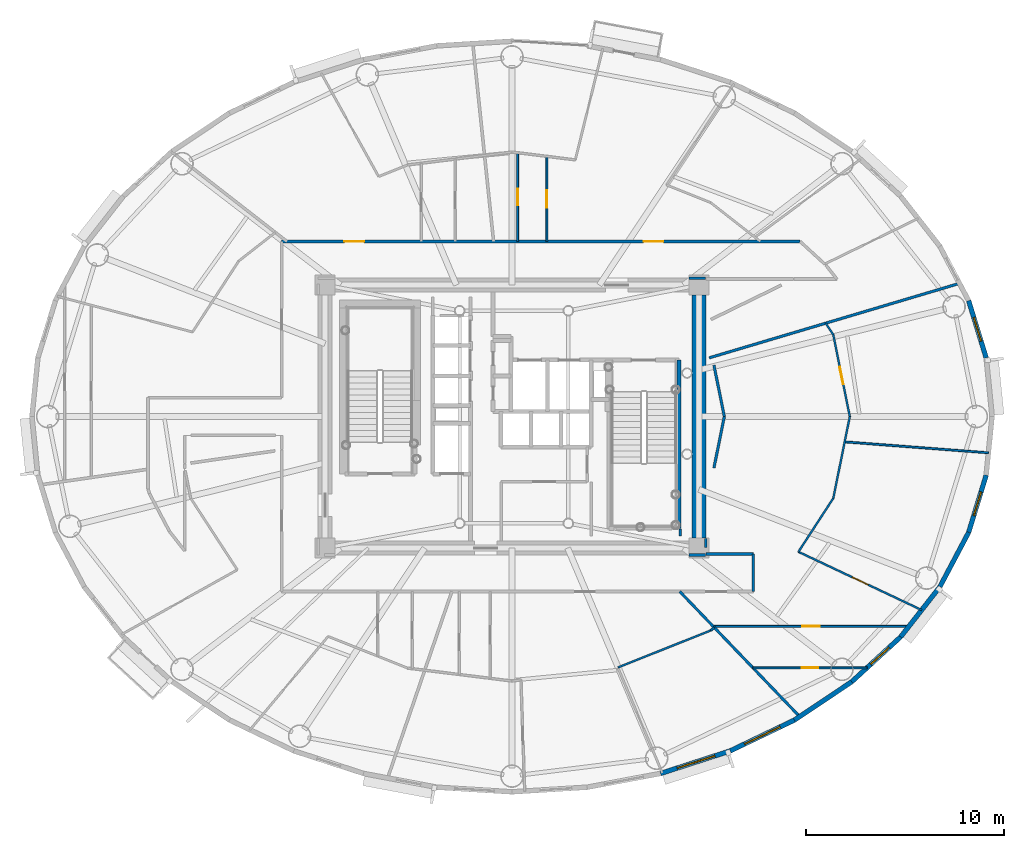
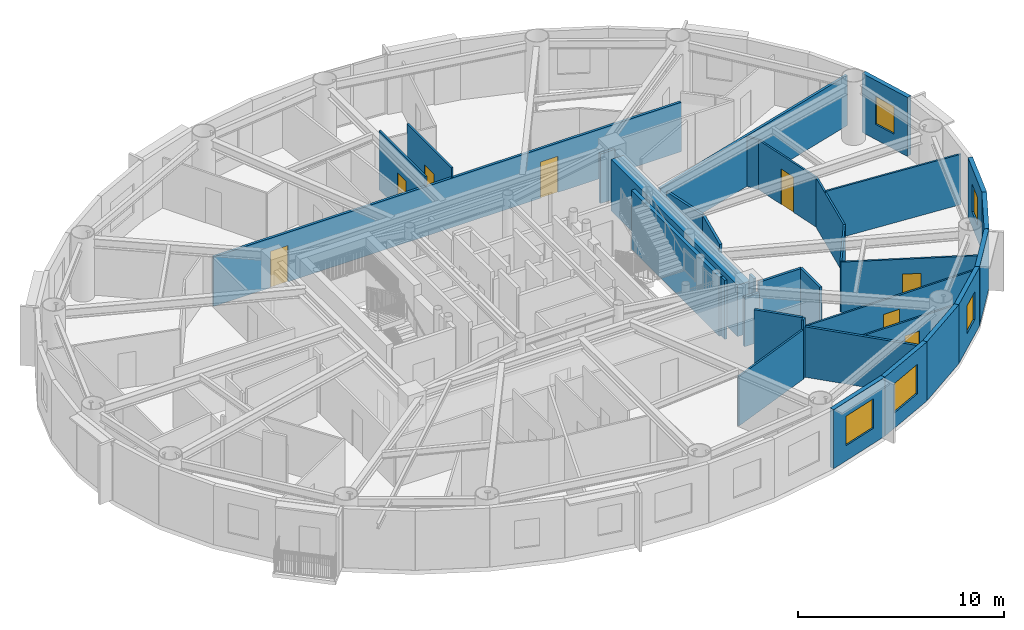
# One storey, part 9 of 18: 34 walls, 8 doors, 5 windows, 13 openings.
"""IFC4 building model written with IfcOpenShell, lengths in metres."""

from ifc_helpers import new_model, si_unit, direction, frame, frame_2d, origin, origin_2d, place, context, subcontext, project, spatial, rectangle, extrude, source, transform, mapped, material, layer, layer_set, type_object, element, fill, save


model = new_model("IFC4")

# Units and contexts
model_context = context("Model", 3, precision=1e-05, world=origin(), true_north=direction((0.0, 1.0)))
body_context = subcontext(model_context, "Body", "Model", "MODEL_VIEW")
ifc_project = project(units=[si_unit("LENGTHUNIT", "METRE"), si_unit("AREAUNIT", "SQUARE_METRE"), si_unit("VOLUMEUNIT", "CUBIC_METRE"), si_unit("PLANEANGLEUNIT", "RADIAN"), si_unit("MASSUNIT", "GRAM", prefix="KILO")], contexts=[model_context])

# Site, building, storey
site_placement = place(None, origin())
site = spatial("IfcSite", under=ifc_project, at=site_placement, CompositionType="ELEMENT")
building_placement = place(site_placement, origin())
building = spatial("IfcBuilding", under=site, at=building_placement, Name="Linh Dai School and Residence Tower", CompositionType="ELEMENT")
storey_placement = place(building_placement, frame((0.0, 0.0, 240.300048828125)))
storey = spatial("IfcBuildingStorey", under=building, at=storey_placement, Name="L59", CompositionType="ELEMENT", Elevation=240.300048828125)

# Wall, opening, window
ifc_material_1 = material(Name="Precast Concrete B45 (C35/45)", Category="concrete")
ifc_layer_1 = layer(ifc_material_1, 0.239990234375)
ifc_layer_set_1 = layer_set([ifc_layer_1], Name="Precast Concrete B45 (C35/45)")
wall_type_1 = type_object("IfcWallType", Name="EW-TC-240", PredefinedType="SOLIDWALL", material=ifc_layer_set_1)
wall_1_placement = place(storey_placement, frame((59.09033203125, 32.85595703125, 0.0), z_axis=(0.0, 0.0, 1.0), x_axis=(0.293132907334, -0.95607170162, 0.0)))
wall_1 = element("IfcWall", 1, at=wall_1_placement, inside=storey, type_object=wall_type_1, Name="L59 Terracotta Exterior Wall 02", PredefinedType="SOLIDWALL", context=body_context, shape_type="SweptSolid", body=[
    extrude(rectangle(XDim=3.02490234375, YDim=0.239990234375, at=frame_2d((1.512451171875, 0.0))), origin(), (0.0, 0.0, 1.0), 3.5),
])
opening_1_placement = place(wall_1_placement, frame((0.887451171875, 0.0, 0.89990234375)))
opening_1 = element("IfcOpeningElement", 2, at=opening_1_placement, cuts=wall_1, Name="Opening W3", PredefinedType="OPENING", context=body_context, shape_type="SweptSolid", body=[
    extrude(rectangle(XDim=1.25, YDim=1.64990234375, at=origin_2d()), frame((0.625, 0.1298828125, 0.824951171875), z_axis=(0.0, -1.0, 0.0), x_axis=(1.0, 0.0, 0.0)), (0.0, 0.0, 1.0), 0.260009765625),
])
ifc_material_2 = material(Name="Double Low-E Insulated Glazing", Category="glass")
window_type_1 = type_object("IfcWindowType", Name="WN-RES-1250x1650", PartitioningType="SINGLE_PANEL", PredefinedType="WINDOW", material=ifc_material_2)
shared_shape_1 = source(origin(), body_context, "Body", "SweptSolid", [
    extrude(rectangle(XDim=1.25, YDim=1.64990234375, at=origin_2d()), frame((0.625, 0.030029296875, 0.824951171875), z_axis=(0.0, -1.0, 0.0), x_axis=(1.0, 0.0, 0.0)), (0.0, 0.0, 1.0), 0.06005859375),
])
window_1_placement = place(opening_1_placement, origin())
window_1 = element("IfcWindow", 3, at=window_1_placement, inside=storey, type_object=window_type_1, Name="L59 Dwelling Window U5905-BD2", OverallHeight=1.64990234375, OverallWidth=1.25, PartitioningType="SINGLE_PANEL", PredefinedType="WINDOW", context=body_context, shape_type="MappedRepresentation", body=[
    mapped(shared_shape_1, transform((0.0, 0.0, 0.0), x_axis=(1.0, 0.0, 0.0), y_axis=(0.0, 1.0, 0.0), z_axis=(0.0, 0.0, 1.0), scale=1.0)),
])
fill(opening_1, window_1)

wall_2_placement = place(storey_placement, frame((47.031005859375, 10.093505859375, 0.0), z_axis=(0.0, 0.0, 1.0), x_axis=(-0.951210789182, -0.308541787354, 0.0)))
wall_2 = element("IfcWall", 4, at=wall_2_placement, inside=storey, type_object=wall_type_1, Name="L59 Terracotta Exterior Wall 33", PredefinedType="SOLIDWALL", context=body_context, shape_type="SweptSolid", body=[
    extrude(rectangle(XDim=3.702392578125, YDim=0.239990234375, at=frame_2d((1.85107421875, 0.0))), origin(), (0.0, 0.0, 1.0), 3.5),
])
opening_2_placement = place(wall_2_placement, frame((0.81298828125, 0.0, 0.89990234375)))
opening_2 = element("IfcOpeningElement", 5, at=opening_2_placement, cuts=wall_2, Name="Opening W1", PredefinedType="OPENING", context=body_context, shape_type="SweptSolid", body=[
    extrude(rectangle(XDim=2.0, YDim=1.75, at=origin_2d()), frame((1.0, 0.1298828125, 0.875), z_axis=(0.0, -1.0, 0.0), x_axis=(1.0, 0.0, 0.0)), (0.0, 0.0, 1.0), 0.260009765625),
])
window_type_2 = type_object("IfcWindowType", Name="WN-RES-2000x1750", PartitioningType="DOUBLE_PANEL_VERTICAL", PredefinedType="WINDOW", material=ifc_material_2)
shared_shape_2 = source(origin(), body_context, "Body", "SweptSolid", [
    extrude(rectangle(XDim=2.0, YDim=1.75, at=origin_2d()), frame((1.0, 0.030029296875, 0.875), z_axis=(0.0, -1.0, 0.0), x_axis=(1.0, 0.0, 0.0)), (0.0, 0.0, 1.0), 0.06005859375),
])
window_2_placement = place(opening_2_placement, origin())
window_2 = element("IfcWindow", 6, at=window_2_placement, inside=storey, type_object=window_type_2, Name="L59 Exterior Window 33.1", OverallHeight=1.75, OverallWidth=2.0, PartitioningType="DOUBLE_PANEL_VERTICAL", PredefinedType="WINDOW", context=body_context, shape_type="MappedRepresentation", body=[
    mapped(shared_shape_2, transform((0.0, 0.0, 0.0), x_axis=(1.0, 0.0, 0.0), y_axis=(0.0, 1.0, 0.0), z_axis=(0.0, 0.0, 1.0), scale=1.0)),
])
fill(opening_2, window_2)

wall_3_placement = place(storey_placement, frame((50.280029296875, 11.65234375, 0.0), z_axis=(0.0, 0.0, 1.0), x_axis=(-0.901598104751, -0.432574684313, 0.0)))
wall_3 = element("IfcWall", 7, at=wall_3_placement, inside=storey, type_object=wall_type_1, Name="L59 Terracotta Exterior Wall 34", PredefinedType="SOLIDWALL", context=body_context, shape_type="SweptSolid", body=[
    extrude(rectangle(XDim=3.603515625, YDim=0.239990234375, at=frame_2d((1.8017578125, 0.0))), origin(), (0.0, 0.0, 1.0), 3.5),
])
opening_3_placement = place(wall_3_placement, frame((0.802001953125, 0.0, 0.89990234375)))
opening_3 = element("IfcOpeningElement", 8, at=opening_3_placement, cuts=wall_3, Name="Opening W1", PredefinedType="OPENING", context=body_context, shape_type="SweptSolid", body=[
    extrude(rectangle(XDim=2.0, YDim=1.75, at=origin_2d()), frame((1.0, 0.1298828125, 0.875), z_axis=(0.0, -1.0, 0.0), x_axis=(1.0, 0.0, 0.0)), (0.0, 0.0, 1.0), 0.260009765625),
])
window_3_placement = place(opening_3_placement, origin())
window_3 = element("IfcWindow", 9, at=window_3_placement, inside=storey, type_object=window_type_2, Name="L59 Exterior Window 34.1", OverallHeight=1.75, OverallWidth=2.0, PartitioningType="DOUBLE_PANEL_VERTICAL", PredefinedType="WINDOW", context=body_context, shape_type="MappedRepresentation", body=[
    mapped(shared_shape_2, transform((0.0, 0.0, 0.0), x_axis=(1.0, 0.0, 0.0), y_axis=(0.0, 1.0, 0.0), z_axis=(0.0, 0.0, 1.0), scale=1.0)),
])
fill(opening_3, window_3)

# Wall
wall_4_placement = place(storey_placement, frame((53.17626953125, 13.589111328125, 0.0), z_axis=(0.0, 0.0, 1.0), x_axis=(-0.831262496074, -0.555880079352, 0.0)))
element("IfcWall", 10, at=wall_4_placement, inside=storey, type_object=wall_type_1, Name="L59 Terracotta Exterior Wall 35", PredefinedType="SOLIDWALL", context=body_context, shape_type="SweptSolid", body=[
    extrude(rectangle(XDim=3.484130859375, YDim=0.239990234375, at=frame_2d((1.7421875, 0.0))), origin(), (0.0, 0.0, 1.0), 3.5),
])

# Wall, opening, window
wall_5_placement = place(storey_placement, frame((55.6484375, 15.85546875, 0.0), z_axis=(0.0, 0.0, 1.0), x_axis=(-0.737123922599, -0.675757591694, 0.0)))
wall_5 = element("IfcWall", 11, at=wall_5_placement, inside=storey, type_object=wall_type_1, Name="L59 Terracotta Exterior Wall 36", PredefinedType="SOLIDWALL", context=body_context, shape_type="SweptSolid", body=[
    extrude(rectangle(XDim=3.353759765625, YDim=0.239990234375, at=frame_2d((1.6767578125, 0.0))), origin(), (0.0, 0.0, 1.0), 3.5),
])
opening_4_placement = place(wall_5_placement, frame((0.791259765625, 0.0, 0.89990234375)))
opening_4 = element("IfcOpeningElement", 12, at=opening_4_placement, cuts=wall_5, Name="Opening W3", PredefinedType="OPENING", context=body_context, shape_type="SweptSolid", body=[
    extrude(rectangle(XDim=1.25, YDim=1.64990234375, at=origin_2d()), frame((0.625, 0.1298828125, 0.824951171875), z_axis=(0.0, -1.0, 0.0), x_axis=(1.0, 0.0, 0.0)), (0.0, 0.0, 1.0), 0.260009765625),
])
window_4_placement = place(opening_4_placement, origin())
window_4 = element("IfcWindow", 13, at=window_4_placement, inside=storey, type_object=window_type_1, Name="L59 Exterior Window 36.1", OverallHeight=1.64990234375, OverallWidth=1.25, PartitioningType="SINGLE_PANEL", PredefinedType="WINDOW", context=body_context, shape_type="MappedRepresentation", body=[
    mapped(shared_shape_1, transform((0.0, 0.0, 0.0), x_axis=(1.0, 0.0, 0.0), y_axis=(0.0, 1.0, 0.0), z_axis=(0.0, 0.0, 1.0), scale=1.0)),
])
fill(opening_4, window_4)

# Walls
wall_6_placement = place(storey_placement, frame((57.6357421875, 18.394775390625, 0.0), z_axis=(0.0, 0.0, 1.0), x_axis=(-0.616312344705, -0.787501805562, 0.0)))
element("IfcWall", 14, at=wall_6_placement, inside=storey, type_object=wall_type_1, Name="L59 Terracotta Exterior Wall 37", PredefinedType="SOLIDWALL", context=body_context, shape_type="SweptSolid", body=[
    extrude(rectangle(XDim=3.224609375, YDim=0.239990234375, at=frame_2d((1.6123046875, 0.0))), origin(), (0.0, 0.0, 1.0), 3.5),
])
wall_7_placement = place(storey_placement, frame((59.09033203125, 21.14404296875, 0.0), z_axis=(0.0, 0.0, 1.0), x_axis=(-0.46766049993, -0.883908172157, 0.0)))
element("IfcWall", 15, at=wall_7_placement, inside=storey, type_object=wall_type_1, Name="L59 Terracotta Exterior Wall 38", PredefinedType="SOLIDWALL", context=body_context, shape_type="SweptSolid", body=[
    extrude(rectangle(XDim=3.1103515625, YDim=0.239990234375, at=frame_2d((1.55517578125, 0.0))), origin(), (0.0, 0.0, 1.0), 3.5),
])

# Wall, opening, window
wall_8_placement = place(storey_placement, frame((59.97705078125, 24.0361328125, 0.0), z_axis=(0.0, 0.0, 1.0), x_axis=(-0.293132907334, -0.95607170162, 0.0)))
wall_8 = element("IfcWall", 16, at=wall_8_placement, inside=storey, type_object=wall_type_1, Name="L59 Terracotta Exterior Wall 39", PredefinedType="SOLIDWALL", context=body_context, shape_type="SweptSolid", body=[
    extrude(rectangle(XDim=3.02490234375, YDim=0.239990234375, at=frame_2d((1.512451171875, 0.0))), origin(), (0.0, 0.0, 1.0), 3.5),
])
opening_5_placement = place(wall_8_placement, frame((0.887451171875, 0.0, 0.89990234375)))
opening_5 = element("IfcOpeningElement", 17, at=opening_5_placement, cuts=wall_8, Name="Opening W3", PredefinedType="OPENING", context=body_context, shape_type="SweptSolid", body=[
    extrude(rectangle(XDim=1.25, YDim=1.64990234375, at=origin_2d()), frame((0.625, 0.1298828125, 0.824951171875), z_axis=(0.0, -1.0, 0.0), x_axis=(1.0, 0.0, 0.0)), (0.0, 0.0, 1.0), 0.260009765625),
])
window_5_placement = place(opening_5_placement, origin())
window_5 = element("IfcWindow", 18, at=window_5_placement, inside=storey, type_object=window_type_1, Name="L59 Exterior Window 39.1", OverallHeight=1.64990234375, OverallWidth=1.25, PartitioningType="SINGLE_PANEL", PredefinedType="WINDOW", context=body_context, shape_type="MappedRepresentation", body=[
    mapped(shared_shape_1, transform((0.0, 0.0, 0.0), x_axis=(1.0, 0.0, 0.0), y_axis=(0.0, 1.0, 0.0), z_axis=(0.0, 0.0, 1.0), scale=1.0)),
])
fill(opening_5, window_5)

# Wall, openings, doors
ifc_material_3 = material(Name="Autoclaved Aerated Concrete Blockwork", Category="masonry")
ifc_layer_2 = layer(ifc_material_3, 0.135009765625)
ifc_layer_set_2 = layer_set([ifc_layer_2], Name="Autoclaved Aerated Concrete Blockwork")
wall_type_2 = type_object("IfcWallType", Name="IW-CORR-135-EI90", PredefinedType="PARTITIONING", material=ifc_layer_set_2)
wall_9_placement = place(storey_placement, frame((24.35009765625, 35.85009765625, 0.0), z_axis=(0.0, 0.0, 1.0), x_axis=(1.0, 0.0, 0.0)))
wall_9 = element("IfcWall", 19, at=wall_9_placement, inside=storey, type_object=wall_type_2, Name="L59 Interior Partition Wall 023", PredefinedType="PARTITIONING", context=body_context, shape_type="SweptSolid", body=[
    extrude(rectangle(XDim=26.2177734375, YDim=0.135009765625, at=frame_2d((13.10888671875, 0.0))), origin(), (0.0, 0.0, 1.0), 2.93505859375),
])
opening_6_placement = place(wall_9_placement, frame((3.171630859375, 0.0, 0.0)))
opening_6 = element("IfcOpeningElement", 20, at=opening_6_placement, cuts=wall_9, Name="Opening D03", PredefinedType="OPENING", context=body_context, shape_type="SweptSolid", body=[
    extrude(rectangle(XDim=1.0, YDim=2.14990234375, at=origin_2d()), frame((0.5, 0.07763671875, 1.074951171875), z_axis=(0.0, -1.0, 0.0), x_axis=(1.0, 0.0, 0.0)), (0.0, 0.0, 1.0), 0.155029296875),
])
opening_7_placement = place(wall_9_placement, frame((18.30615234375, 0.0, 0.0)))
opening_7 = element("IfcOpeningElement", 21, at=opening_7_placement, cuts=wall_9, Name="Opening D03", PredefinedType="OPENING", context=body_context, shape_type="SweptSolid", body=[
    extrude(rectangle(XDim=1.0, YDim=2.14990234375, at=origin_2d()), frame((0.5, 0.07763671875, 1.074951171875), z_axis=(0.0, -1.0, 0.0), x_axis=(1.0, 0.0, 0.0)), (0.0, 0.0, 1.0), 0.155029296875),
])
ifc_material_4 = material(Name="Fire-Rated Solid Timber Entrance Door", Category="wood")
door_type_1 = type_object("IfcDoorType", Name="DR-FLAT-1000x2150-FD60S", OperationType="NOTDEFINED", PredefinedType="DOOR", material=ifc_material_4)
shared_shape_3 = source(origin(), body_context, "Body", "SweptSolid", [
    extrude(rectangle(XDim=1.0, YDim=2.14990234375, at=origin_2d()), frame((0.5, 0.02490234375, 1.074951171875), z_axis=(0.0, -1.0, 0.0), x_axis=(1.0, 0.0, 0.0)), (0.0, 0.0, 1.0), 0.050048828125),
])
door_1_placement = place(opening_6_placement, origin())
door_1 = element("IfcDoor", 22, at=door_1_placement, inside=storey, type_object=door_type_1, Name="L59 U5901 Apartment Entrance Door", OperationType="SINGLE_SWING_RIGHT", OverallHeight=2.14990234375, OverallWidth=1.0, PredefinedType="DOOR", context=body_context, shape_type="MappedRepresentation", body=[
    mapped(shared_shape_3, transform((0.0, 0.0, 0.0), x_axis=(1.0, 0.0, 0.0), y_axis=(0.0, 1.0, 0.0), z_axis=(0.0, 0.0, 1.0), scale=1.0)),
])
fill(opening_6, door_1)
door_2_placement = place(opening_7_placement, origin())
door_2 = element("IfcDoor", 23, at=door_2_placement, inside=storey, type_object=door_type_1, Name="L59 U5906 Apartment Entrance Door", OperationType="SINGLE_SWING_LEFT", OverallHeight=2.14990234375, OverallWidth=1.0, PredefinedType="DOOR", context=body_context, shape_type="MappedRepresentation", body=[
    mapped(shared_shape_3, transform((0.0, 0.0, 0.0), x_axis=(1.0, 0.0, 0.0), y_axis=(0.0, 1.0, 0.0), z_axis=(0.0, 0.0, 1.0), scale=1.0)),
])
fill(opening_7, door_2)

# Walls
wall_10_placement = place(storey_placement, frame((44.48486328125, 18.14990234375, 0.0), z_axis=(0.0, 0.0, 1.0), x_axis=(0.692102956666, -0.72179879286, 0.0)))
element("IfcWall", 24, at=wall_10_placement, inside=storey, type_object=wall_type_2, Name="L59 Interior Partition Wall 077", PredefinedType="PARTITIONING", context=body_context, shape_type="SweptSolid", body=[
    extrude(rectangle(XDim=2.441650390625, YDim=0.135009765625, at=frame_2d((1.220703125, 0.0))), origin(), (0.0, 0.0, 1.0), 3.5),
])
wall_11_placement = place(storey_placement, frame((45.800048828125, 20.050048828125, 0.0), z_axis=(0.0, 0.0, 1.0), x_axis=(1.0, 0.0, 0.0)))
element("IfcWall", 25, at=wall_11_placement, inside=storey, type_object=wall_type_2, Name="L59 Interior Partition Wall 078", PredefinedType="PARTITIONING", context=body_context, shape_type="SweptSolid", body=[
    extrude(rectangle(XDim=2.39990234375, YDim=0.135009765625, at=frame_2d((1.199951171875, 0.0))), origin(), (0.0, 0.0, 1.0), 3.5),
])
wall_12_placement = place(storey_placement, frame((45.970458984375, 29.966552734375, 0.0), z_axis=(0.0, 0.0, 1.0), x_axis=(0.958474934199, 0.285176788174, 0.0)))
element("IfcWall", 26, at=wall_12_placement, inside=storey, type_object=wall_type_2, Name="L59 Interior Partition Wall 079", PredefinedType="PARTITIONING", context=body_context, shape_type="SweptSolid", body=[
    extrude(rectangle(XDim=13.209716796875, YDim=0.135009765625, at=frame_2d((6.60498046875, 0.0))), origin(), (0.0, 0.0, 1.0), 2.98486328125),
])
wall_13_placement = place(storey_placement, frame((46.22998046875, 16.329833984375, 0.0), z_axis=(0.0, 0.0, 1.0), x_axis=(0.69206255942, -0.721837525935, 0.0)))
element("IfcWall", 27, at=wall_13_placement, inside=storey, type_object=wall_type_2, Name="L59 Interior Partition Wall 083", PredefinedType="PARTITIONING", context=body_context, shape_type="SweptSolid", body=[
    extrude(rectangle(XDim=6.23974609375, YDim=0.135009765625, at=frame_2d((3.119873046875, 0.0))), origin(), (0.0, 0.0, 1.0), 2.98486328125),
])
wall_14_placement = place(storey_placement, frame((48.199951171875, 18.14990234375, 0.0), z_axis=(0.0, 0.0, 1.0), x_axis=(0.0, 1.0, 0.0)))
element("IfcWall", 28, at=wall_14_placement, inside=storey, type_object=wall_type_2, Name="L59 Interior Partition Wall 085", PredefinedType="PARTITIONING", context=body_context, shape_type="SweptSolid", body=[
    extrude(rectangle(XDim=1.900146484375, YDim=0.135009765625, at=frame_2d((0.9501953125, 0.0))), origin(), (0.0, 0.0, 1.0), 3.5),
])
wall_15_placement = place(storey_placement, frame((44.5, 20.9599609375, 0.0), z_axis=(0.0, 0.0, 1.0), x_axis=(0.0, 1.0, 0.0)))
element("IfcWall", 29, at=wall_15_placement, inside=storey, type_object=wall_type_2, Name="L59 Interior Partition Wall 101", PredefinedType="PARTITIONING", context=body_context, shape_type="SweptSolid", body=[
    extrude(rectangle(XDim=0.360107421875, YDim=0.135009765625, at=frame_2d((0.18017578125, 0.0))), origin(), (0.0, 0.0, 1.0), 3.5),
])
for number, where, z_axis, x_axis, name in (
    (30, (45.7900390625, 34.0, 0.0), (0.0, 0.0, 1.0), (-1.0, 0.0, 0.0), "L59 Interior Partition Wall 105"),
    (31, (44.9599609375, 20.0, 0.0), (0.0, 0.0, 1.0), (1.0, 0.0, 0.0), "L59 Interior Partition Wall 110"),
):
    element("IfcWall", number, at=place(storey_placement, frame(where, z_axis=z_axis, x_axis=x_axis)), inside=storey, type_object=wall_type_2, Name=name, PredefinedType="PARTITIONING", context=body_context, shape_type="SweptSolid", body=[
        extrude(rectangle(XDim=0.830078125, YDim=0.135009765625, at=frame_2d((0.4150390625, 0.0))), origin(), (0.0, 0.0, 1.0), 2.93505859375),
    ])
wall_16_placement = place(storey_placement, frame((45.800048828125, 20.37744140625, 0.0), z_axis=(0.0, 0.0, 1.0), x_axis=(0.0, 1.0, 0.0)))
element("IfcWall", 32, at=wall_16_placement, inside=storey, type_object=wall_type_2, Name="L59 Interior Partition Wall 114", PredefinedType="PARTITIONING", context=body_context, shape_type="SweptSolid", body=[
    extrude(rectangle(XDim=0.462646484375, YDim=0.135009765625, at=frame_2d((0.2314453125, 0.0))), origin(), (0.0, 0.0, 1.0), 3.5),
])
for number, where, z_axis, x_axis, name in (
    (33, (46.21044921875, 24.40234375, 0.0), (0.0, 0.0, 1.0), (0.198330009585, 0.980135300506, 0.0), "L59 Interior Partition Wall 115"),
    (34, (46.736083984375, 27.0, 0.0), (0.0, 0.0, 1.0), (-0.198330009585, 0.980135300506, 0.0), "L59 Interior Partition Wall 116"),
):
    element("IfcWall", number, at=place(storey_placement, frame(where, z_axis=z_axis, x_axis=x_axis)), inside=storey, type_object=wall_type_2, Name=name, PredefinedType="PARTITIONING", context=body_context, shape_type="SweptSolid", body=[
        extrude(rectangle(XDim=2.650390625, YDim=0.135009765625, at=frame_2d((1.3251953125, 0.0))), origin(), (0.0, 0.0, 1.0), 2.93505859375),
    ])
ifc_material_5 = material(Name="Concrete B45 (C35/45)", Category="concrete")
ifc_layer_3 = layer(ifc_material_5, 0.199951171875)
ifc_layer_set_3 = layer_set([ifc_layer_3], Name="Concrete B45 (C35/45)")
wall_type_3 = type_object("IfcWallType", Name="IW-SHAFT-200-EI120", PredefinedType="PARTITIONING", material=ifc_layer_set_3)
wall_17_placement = place(storey_placement, frame((44.43994140625, 21.330078125, 0.0), z_axis=(0.0, 0.0, 1.0), x_axis=(0.0, 1.0, 0.0)))
element("IfcWall", 35, at=wall_17_placement, inside=storey, type_object=wall_type_3, Name="L59 Interior Partition Wall 076", PredefinedType="PARTITIONING", context=body_context, shape_type="SweptSolid", body=[
    extrude(rectangle(XDim=8.52001953125, YDim=0.199951171875, at=frame_2d((4.260009765625, 0.0))), origin(), (0.0, 0.0, 1.0), 3.5),
])

# Wall, opening, door
ifc_material_6 = material(Name="Gypsum Plasterboard Acoustic Stud Partition", Category="masonry")
ifc_layer_4 = layer(ifc_material_6, 0.10009765625)
ifc_layer_set_4 = layer_set([ifc_layer_4], Name="Gypsum Plasterboard Acoustic Stud Partition")
wall_type_4 = type_object("IfcWallType", Name="IW-UNIT-100", PredefinedType="PARTITIONING", material=ifc_layer_set_4)
wall_18_placement = place(storey_placement, frame((36.28564453125, 35.85009765625, 0.0), z_axis=(0.0, 0.0, 1.0), x_axis=(0.0, 1.0, 0.0)))
wall_18 = element("IfcWall", 36, at=wall_18_placement, inside=storey, type_object=wall_type_4, Name="L59 Interior Partition Wall 060", PredefinedType="PARTITIONING", context=body_context, shape_type="SweptSolid", body=[
    extrude(rectangle(XDim=4.488037109375, YDim=0.10009765625, at=frame_2d((2.244140625, 0.0))), origin(), (0.0, 0.0, 1.0), 3.5),
])
opening_8_placement = place(wall_18_placement, frame((1.833984375, 0.0, 0.0)))
opening_8 = element("IfcOpeningElement", 37, at=opening_8_placement, cuts=wall_18, Name="Opening D06", PredefinedType="OPENING", context=body_context, shape_type="SweptSolid", body=[
    extrude(rectangle(XDim=0.820068359375, YDim=2.10009765625, at=origin_2d()), frame((0.41015625, 0.06005859375, 1.050048828125), z_axis=(0.0, -1.0, 0.0), x_axis=(1.0, 0.0, 0.0)), (0.0, 0.0, 1.0), 0.1201171875),
])
ifc_material_7 = material(Name="Moisture-Resistant Timber Bathroom Door", Category="wood")
door_type_2 = type_object("IfcDoorType", Name="DR-WET-820x2100", OperationType="NOTDEFINED", PredefinedType="DOOR", material=ifc_material_7)
shared_shape_4 = source(origin(), body_context, "Body", "SweptSolid", [
    extrude(rectangle(XDim=0.820068359375, YDim=2.10009765625, at=origin_2d()), frame((0.41015625, 0.02490234375, 1.050048828125), z_axis=(0.0, -1.0, 0.0), x_axis=(1.0, 0.0, 0.0)), (0.0, 0.0, 1.0), 0.050048828125),
])
door_3_placement = place(opening_8_placement, origin())
door_3 = element("IfcDoor", 38, at=door_3_placement, inside=storey, type_object=door_type_2, Name="L59 Apartment U5906 Bathroom 1 Door", OperationType="SINGLE_SWING_RIGHT", OverallHeight=2.10009765625, OverallWidth=0.820068359375, PredefinedType="DOOR", context=body_context, shape_type="MappedRepresentation", body=[
    mapped(shared_shape_4, transform((0.0, 0.0, 0.0), x_axis=(1.0, 0.0, 0.0), y_axis=(0.0, 1.0, 0.0), z_axis=(0.0, 0.0, 1.0), scale=1.0)),
])
fill(opening_8, door_3)

wall_19_placement = place(storey_placement, frame((37.7578125, 35.85009765625, 0.0), z_axis=(0.0, 0.0, 1.0), x_axis=(0.0, 1.0, 0.0)))
wall_19 = element("IfcWall", 39, at=wall_19_placement, inside=storey, type_object=wall_type_4, Name="L59 Interior Partition Wall 063", PredefinedType="PARTITIONING", context=body_context, shape_type="SweptSolid", body=[
    extrude(rectangle(XDim=4.305419921875, YDim=0.10009765625, at=frame_2d((2.15283203125, 0.0))), origin(), (0.0, 0.0, 1.0), 3.5),
])
opening_9_placement = place(wall_19_placement, frame((1.702880859375, 0.0, 0.0)))
opening_9 = element("IfcOpeningElement", 40, at=opening_9_placement, cuts=wall_19, Name="Opening D05", PredefinedType="OPENING", context=body_context, shape_type="SweptSolid", body=[
    extrude(rectangle(XDim=0.89990234375, YDim=2.10009765625, at=origin_2d()), frame((0.449951171875, 0.06005859375, 1.050048828125), z_axis=(0.0, -1.0, 0.0), x_axis=(1.0, 0.0, 0.0)), (0.0, 0.0, 1.0), 0.1201171875),
])
ifc_material_8 = material(Name="Engineered Timber Internal Door", Category="wood")
door_type_3 = type_object("IfcDoorType", Name="DR-INT-900x2100", OperationType="NOTDEFINED", PredefinedType="DOOR", material=ifc_material_8)
shared_shape_5 = source(origin(), body_context, "Body", "SweptSolid", [
    extrude(rectangle(XDim=0.89990234375, YDim=2.10009765625, at=origin_2d()), frame((0.449951171875, 0.02490234375, 1.050048828125), z_axis=(0.0, -1.0, 0.0), x_axis=(1.0, 0.0, 0.0)), (0.0, 0.0, 1.0), 0.050048828125),
])
door_4_placement = place(opening_9_placement, origin())
door_4 = element("IfcDoor", 41, at=door_4_placement, inside=storey, type_object=door_type_3, Name="L59 Apartment U5906 Kitchen Door", OperationType="SINGLE_SWING_RIGHT", OverallHeight=2.10009765625, OverallWidth=0.89990234375, PredefinedType="DOOR", context=body_context, shape_type="MappedRepresentation", body=[
    mapped(shared_shape_5, transform((0.0, 0.0, 0.0), x_axis=(1.0, 0.0, 0.0), y_axis=(0.0, 1.0, 0.0), z_axis=(0.0, 0.0, 1.0), scale=1.0)),
])
fill(opening_9, door_4)

# Walls
wall_20_placement = place(storey_placement, frame((41.35205078125, 14.310546875, 0.0), z_axis=(0.0, 0.0, 1.0), x_axis=(0.928803297531, 0.370573116261, 0.0)))
element("IfcWall", 42, at=wall_20_placement, inside=storey, type_object=wall_type_4, Name="L59 Interior Partition Wall 073", PredefinedType="PARTITIONING", context=body_context, shape_type="SweptSolid", body=[
    extrude(rectangle(XDim=5.046630859375, YDim=0.10009765625, at=frame_2d((2.5234375, 0.0))), origin(), (0.0, 0.0, 1.0), 2.93505859375),
])
wall_21_placement = place(storey_placement, frame((46.039306640625, 16.1806640625, 0.0), z_axis=(0.0, 0.0, 1.0), x_axis=(0.787611392409, 0.616172292909, 0.0)))
element("IfcWall", 43, at=wall_21_placement, inside=storey, type_object=wall_type_4, Name="L59 Interior Partition Wall 080", PredefinedType="PARTITIONING", context=body_context, shape_type="SweptSolid", body=[
    extrude(rectangle(XDim=0.2421875, YDim=0.10009765625, at=frame_2d((0.12109375, 0.0))), origin(), (0.0, 0.0, 1.0), 3.5),
])

# Wall, opening, door
wall_22_placement = place(storey_placement, frame((46.1748046875, 16.387451171875, 0.0), z_axis=(0.0, 0.0, 1.0), x_axis=(1.0, 0.0, 0.0)))
wall_22 = element("IfcWall", 44, at=wall_22_placement, inside=storey, type_object=wall_type_4, Name="L59 Interior Partition Wall 082", PredefinedType="PARTITIONING", context=body_context, shape_type="SweptSolid", body=[
    extrude(rectangle(XDim=9.896240234375, YDim=0.10009765625, at=frame_2d((4.9482421875, 0.0))), origin(), (0.0, 0.0, 1.0), 2.93505859375),
])
opening_10_placement = place(wall_22_placement, frame((4.498046875, 0.0, 0.0)))
opening_10 = element("IfcOpeningElement", 45, at=opening_10_placement, cuts=wall_22, Name="Opening D05", PredefinedType="OPENING", context=body_context, shape_type="SweptSolid", body=[
    extrude(rectangle(XDim=0.89990234375, YDim=2.10009765625, at=origin_2d()), frame((0.449951171875, 0.06005859375, 1.050048828125), z_axis=(0.0, -1.0, 0.0), x_axis=(1.0, 0.0, 0.0)), (0.0, 0.0, 1.0), 0.1201171875),
])
door_5_placement = place(opening_10_placement, origin())
door_5 = element("IfcDoor", 46, at=door_5_placement, inside=storey, type_object=door_type_3, Name="L59 Apartment U5905 Kitchen Door", OperationType="SINGLE_SWING_LEFT", OverallHeight=2.10009765625, OverallWidth=0.89990234375, PredefinedType="DOOR", context=body_context, shape_type="MappedRepresentation", body=[
    mapped(shared_shape_5, transform((0.0, 0.0, 0.0), x_axis=(1.0, 0.0, 0.0), y_axis=(0.0, 1.0, 0.0), z_axis=(0.0, 0.0, 1.0), scale=1.0)),
])
fill(opening_10, door_5)

wall_23_placement = place(storey_placement, frame((48.179443359375, 14.296630859375, 0.0), z_axis=(0.0, 0.0, 1.0), x_axis=(1.0, 0.0, 0.0)))
wall_23 = element("IfcWall", 47, at=wall_23_placement, inside=storey, type_object=wall_type_4, Name="L59 Interior Partition Wall 084", PredefinedType="PARTITIONING", context=body_context, shape_type="SweptSolid", body=[
    extrude(rectangle(XDim=5.77587890625, YDim=0.10009765625, at=frame_2d((2.887939453125, 0.0))), origin(), (0.0, 0.0, 1.0), 2.93505859375),
])
opening_11_placement = place(wall_23_placement, frame((2.47802734375, 0.0, 0.0)))
opening_11 = element("IfcOpeningElement", 48, at=opening_11_placement, cuts=wall_23, Name="Opening D06", PredefinedType="OPENING", context=body_context, shape_type="SweptSolid", body=[
    extrude(rectangle(XDim=0.820068359375, YDim=2.10009765625, at=origin_2d()), frame((0.41015625, 0.06005859375, 1.050048828125), z_axis=(0.0, -1.0, 0.0), x_axis=(1.0, 0.0, 0.0)), (0.0, 0.0, 1.0), 0.1201171875),
])
door_6_placement = place(opening_11_placement, origin())
door_6 = element("IfcDoor", 49, at=door_6_placement, inside=storey, type_object=door_type_2, Name="L59 Apartment U5905 Bathroom 1 Door", OperationType="SINGLE_SWING_RIGHT", OverallHeight=2.10009765625, OverallWidth=0.820068359375, PredefinedType="DOOR", context=body_context, shape_type="MappedRepresentation", body=[
    mapped(shared_shape_4, transform((0.0, 0.0, 0.0), x_axis=(1.0, 0.0, 0.0), y_axis=(0.0, 1.0, 0.0), z_axis=(0.0, 0.0, 1.0), scale=1.0)),
])
fill(opening_11, door_6)

# Wall
wall_24_placement = place(storey_placement, frame((50.482421875, 20.16015625, 0.0), z_axis=(0.0, 0.0, 1.0), x_axis=(0.545421330779, 0.838162020096, 0.0)))
element("IfcWall", 50, at=wall_24_placement, inside=storey, type_object=wall_type_4, Name="L59 Interior Partition Wall 088", PredefinedType="PARTITIONING", context=body_context, shape_type="SweptSolid", body=[
    extrude(rectangle(XDim=3.22998046875, YDim=0.10009765625, at=frame_2d((1.614990234375, 0.0))), origin(), (0.0, 0.0, 1.0), 2.93505859375),
])

# Wall, opening, door
wall_25_placement = place(storey_placement, frame((50.482421875, 20.16015625, 0.0), z_axis=(0.0, 0.0, 1.0), x_axis=(0.904207257568, -0.42709394208, 0.0)))
wall_25 = element("IfcWall", 51, at=wall_25_placement, inside=storey, type_object=wall_type_4, Name="L59 Interior Partition Wall 089", PredefinedType="PARTITIONING", context=body_context, shape_type="SweptSolid", body=[
    extrude(rectangle(XDim=6.896728515625, YDim=0.10009765625, at=frame_2d((3.4482421875, 0.0))), origin(), (0.0, 0.0, 1.0), 2.98486328125),
])
opening_12_placement = place(wall_25_placement, frame((2.998291015625, 0.0, 0.0)))
opening_12 = element("IfcOpeningElement", 52, at=opening_12_placement, cuts=wall_25, Name="Opening D05", PredefinedType="OPENING", context=body_context, shape_type="SweptSolid", body=[
    extrude(rectangle(XDim=0.89990234375, YDim=2.10009765625, at=origin_2d()), frame((0.449951171875, 0.06005859375, 1.050048828125), z_axis=(0.0, -1.0, 0.0), x_axis=(1.0, 0.0, 0.0)), (0.0, 0.0, 1.0), 0.1201171875),
])
door_7_placement = place(opening_12_placement, origin())
door_7 = element("IfcDoor", 53, at=door_7_placement, inside=storey, type_object=door_type_3, Name="L59 Apartment U5905 Principal Bedroom 1 Door", OperationType="SINGLE_SWING_LEFT", OverallHeight=2.10009765625, OverallWidth=0.89990234375, PredefinedType="DOOR", context=body_context, shape_type="MappedRepresentation", body=[
    mapped(shared_shape_5, transform((0.0, 0.0, 0.0), x_axis=(1.0, 0.0, 0.0), y_axis=(0.0, 1.0, 0.0), z_axis=(0.0, 0.0, 1.0), scale=1.0)),
])
fill(opening_12, door_7)

# Walls
wall_26_placement = place(storey_placement, frame((51.862060546875, 31.719482421875, 0.0), z_axis=(0.0, 0.0, 1.0), x_axis=(0.545576382868, -0.838061101863, 0.0)))
element("IfcWall", 54, at=wall_26_placement, inside=storey, type_object=wall_type_4, Name="L59 Interior Partition Wall 092", PredefinedType="PARTITIONING", context=body_context, shape_type="SweptSolid", body=[
    extrude(rectangle(XDim=0.700439453125, YDim=0.10009765625, at=frame_2d((0.35009765625, 0.0))), origin(), (0.0, 0.0, 1.0), 2.93505859375),
])
wall_27_placement = place(storey_placement, frame((52.244140625, 22.867431640625, 0.0), z_axis=(0.0, 0.0, 1.0), x_axis=(0.198276062883, 0.980146215056, 0.0)))
element("IfcWall", 55, at=wall_27_placement, inside=storey, type_object=wall_type_4, Name="L59 Interior Partition Wall 094", PredefinedType="PARTITIONING", context=body_context, shape_type="SweptSolid", body=[
    extrude(rectangle(XDim=4.216064453125, YDim=0.10009765625, at=frame_2d((2.10791015625, 0.0))), origin(), (0.0, 0.0, 1.0), 2.93505859375),
])

# Wall, opening, door
wall_28_placement = place(storey_placement, frame((52.244140625, 31.132568359375, 0.0), z_axis=(0.0, 0.0, 1.0), x_axis=(0.198264809747, -0.980148491411, 0.0)))
wall_28 = element("IfcWall", 56, at=wall_28_placement, inside=storey, type_object=wall_type_4, Name="L59 Interior Partition Wall 095", PredefinedType="PARTITIONING", context=body_context, shape_type="SweptSolid", body=[
    extrude(rectangle(XDim=4.21630859375, YDim=0.10009765625, at=frame_2d((2.108154296875, 0.0))), origin(), (0.0, 0.0, 1.0), 2.93505859375),
])
opening_13_placement = place(wall_28_placement, frame((1.658203125, 0.0, 0.0)))
opening_13 = element("IfcOpeningElement", 57, at=opening_13_placement, cuts=wall_28, Name="Opening D05", PredefinedType="OPENING", context=body_context, shape_type="SweptSolid", body=[
    extrude(rectangle(XDim=0.89990234375, YDim=2.10009765625, at=origin_2d()), frame((0.449951171875, 0.06005859375, 1.050048828125), z_axis=(0.0, -1.0, 0.0), x_axis=(1.0, 0.0, 0.0)), (0.0, 0.0, 1.0), 0.1201171875),
])
door_8_placement = place(opening_13_placement, origin())
door_8 = element("IfcDoor", 58, at=door_8_placement, inside=storey, type_object=door_type_3, Name="L59 Apartment U5905 Principal Bedroom 2 Door", OperationType="SINGLE_SWING_RIGHT", OverallHeight=2.10009765625, OverallWidth=0.89990234375, PredefinedType="DOOR", context=body_context, shape_type="MappedRepresentation", body=[
    mapped(shared_shape_5, transform((0.0, 0.0, 0.0), x_axis=(1.0, 0.0, 0.0), y_axis=(0.0, 1.0, 0.0), z_axis=(0.0, 0.0, 1.0), scale=1.0)),
])
fill(opening_13, door_8)

# Walls
wall_29_placement = place(storey_placement, frame((52.82080078125, 25.71875, 0.0), z_axis=(0.0, 0.0, 1.0), x_axis=(0.997110709209, -0.075962053559, 0.0)))
element("IfcWall", 59, at=wall_29_placement, inside=storey, type_object=wall_type_4, Name="L59 Interior Partition Wall 096", PredefinedType="PARTITIONING", context=body_context, shape_type="SweptSolid", body=[
    extrude(rectangle(XDim=7.295654296875, YDim=0.10009765625, at=frame_2d((3.64794921875, 0.0))), origin(), (0.0, 0.0, 1.0), 2.98486328125),
])
ifc_layer_5 = layer(ifc_material_5, 0.699951171875)
ifc_layer_set_5 = layer_set([ifc_layer_5], Name="Concrete B45 (C35/45)")
wall_type_5 = type_object("IfcWallType", Name="WL-CORE700", PredefinedType="SHEAR", material=ifc_layer_set_5)
wall_30_placement = place(storey_placement, frame((45.449951171875, 33.14990234375, 0.0), z_axis=(0.0, 0.0, 1.0), x_axis=(0.0, -1.0, 0.0)))
element("IfcWall", 60, at=wall_30_placement, inside=storey, type_object=wall_type_5, Name="L59 Central Core Shear Wall E", PredefinedType="SHEAR", context=body_context, shape_type="SweptSolid", body=[
    extrude(rectangle(XDim=12.2998046875, YDim=0.699951171875, at=frame_2d((6.14990234375, 0.0))), origin(), (0.0, 0.0, 1.0), 3.050048828125),
])

save(model, "model.ifc")
